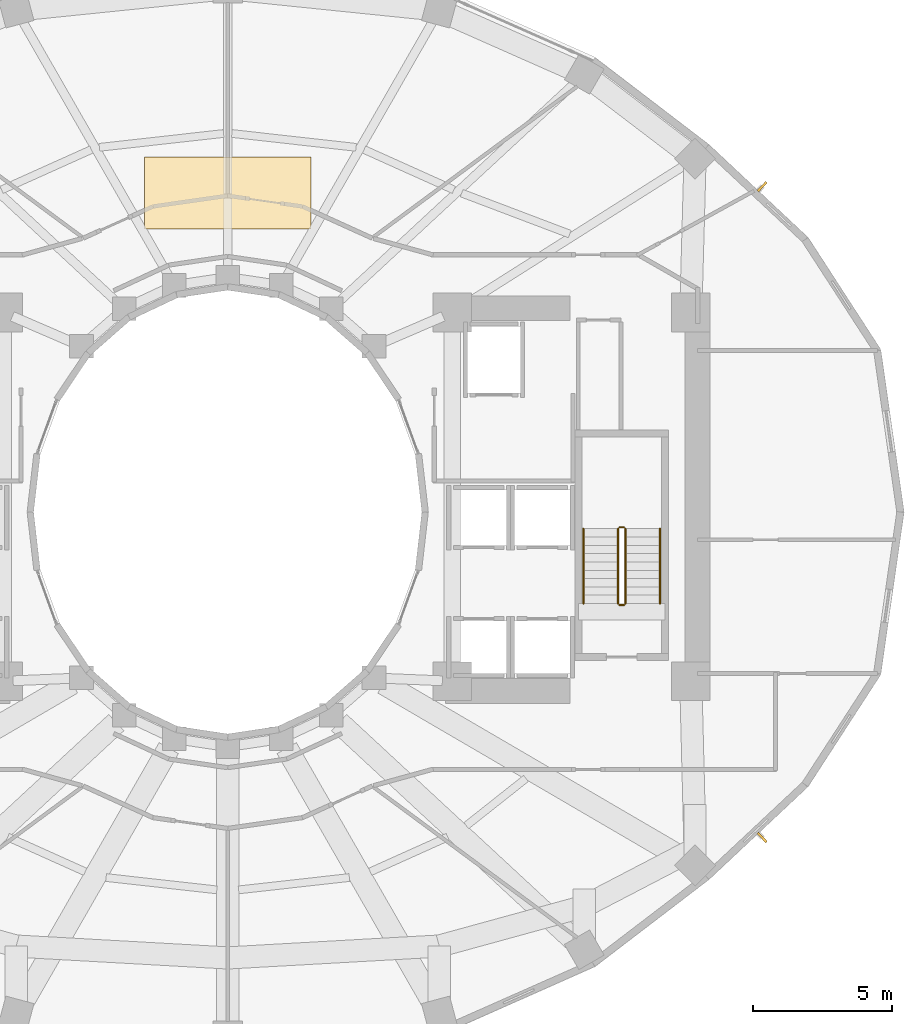
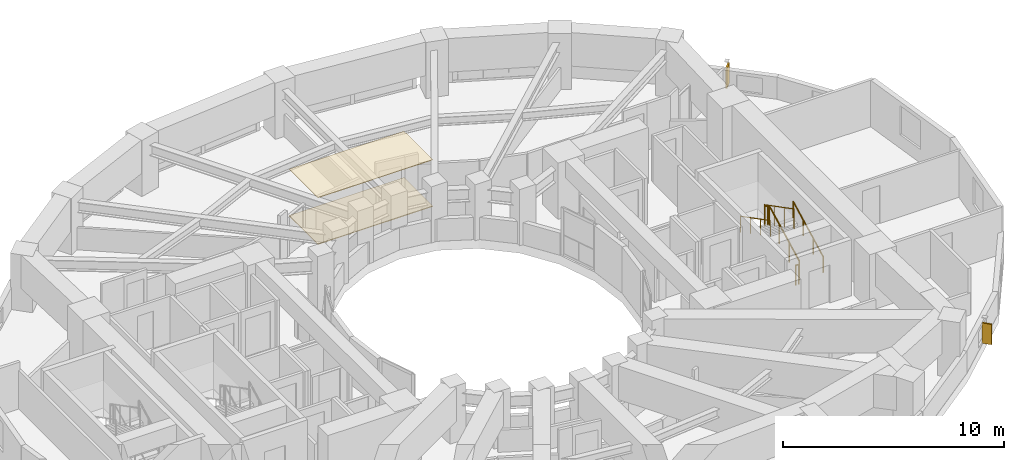
# One storey, part 18 of 19: 6 railings, 2 coverings, 2 shading devices.
"""IFC4 building model written with IfcOpenShell, lengths in metres."""

from ifc_helpers import new_model, si_unit, direction, frame, origin, origin_2d, place, context, subcontext, project, spatial, polyline, rectangle, circle, outline, extrude, material, layer, layer_set, type_object, element, save


model = new_model("IFC4")

# Units and contexts
model_context = context("Model", 3, precision=1e-05, world=origin(), true_north=direction((0.0, 1.0)))
body_context = subcontext(model_context, "Body", "Model", "MODEL_VIEW")
ifc_project = project(units=[si_unit("LENGTHUNIT", "METRE"), si_unit("AREAUNIT", "SQUARE_METRE"), si_unit("VOLUMEUNIT", "CUBIC_METRE"), si_unit("PLANEANGLEUNIT", "RADIAN"), si_unit("MASSUNIT", "GRAM", prefix="KILO")], contexts=[model_context])

# Site, building, storey
site_placement = place(None, origin())
site = spatial("IfcSite", under=ifc_project, at=site_placement, CompositionType="ELEMENT")
building_placement = place(site_placement, origin())
building = spatial("IfcBuilding", under=site, at=building_placement, Name="Solvane Sanctuary Tower", CompositionType="ELEMENT")
storey_placement = place(building_placement, frame((0.0, 0.0, 73.199951171875)))
storey = spatial("IfcBuildingStorey", under=building, at=storey_placement, Name="L21", CompositionType="ELEMENT", Elevation=73.199951171875)

# Coverings
ifc_material_1 = material(Name="Acoustic Gypsum Partition Board")
ifc_layer_1 = layer(ifc_material_1, 0.02490234375, Name="Acoustic Gypsum Partition Board")
ifc_layer_set_1 = layer_set([ifc_layer_1], Name="Acoustic Gypsum Partition Board")
covering_type_1 = type_object("IfcCoveringType", Name="Covering CLG-ACOUST", PredefinedType="CEILING", material=ifc_layer_set_1)
covering_1_placement = place(storey_placement, frame((0.0, 0.0, 2.570068359375)))
element("IfcCovering", 1, at=covering_1_placement, inside=storey, type_object=covering_type_1, Name="L21 Sky Sanctuary Acoustic Ceiling", PredefinedType="CEILING", context=body_context, shape_type="SweptSolid", body=[
    extrude(outline(polyline([(29.0, 33.199951171875), (35.0, 33.199951171875), (35.0, 35.800048828125), (29.0, 35.800048828125), (29.0, 33.199951171875)])), origin(), (0.0, 0.0, 1.0), 0.030029296875),
])
ifc_material_2 = material(Name="Ceramic Tile Finish")
ifc_layer_2 = layer(ifc_material_2, 0.030029296875, Name="Ceramic Tile Finish")
ifc_layer_set_2 = layer_set([ifc_layer_2], Name="Ceramic Tile Finish")
covering_type_2 = type_object("IfcCoveringType", Name="Covering FLR-TERRAZZO", PredefinedType="FLOORING", material=ifc_layer_set_2)
covering_2_placement = place(storey_placement, origin())
element("IfcCovering", 2, at=covering_2_placement, inside=storey, type_object=covering_type_2, Name="L21 Sky Sanctuary Terrazzo Floor", PredefinedType="FLOORING", context=body_context, shape_type="SweptSolid", body=[
    extrude(outline(polyline([(29.0, 33.199951171875), (35.0, 33.199951171875), (35.0, 35.800048828125), (29.0, 35.800048828125), (29.0, 33.199951171875)])), origin(), (0.0, 0.0, 1.0), 0.0400390625),
])

# Railings
ifc_material_3 = material(Name="Architectural Stainless Steel 316", Category="steel")
railing_type_1 = type_object("IfcRailingType", Name="Railing GR-BALC-1150", PredefinedType="BALUSTRADE", material=ifc_material_3)
railing_1_placement = place(storey_placement, frame((46.340087890625, 19.699951171875, 0.155029296875)))
element("IfcRailing", 3, at=railing_1_placement, inside=storey, type_object=railing_type_1, Name="L21 ST-2 stair guard 1", PredefinedType="BALUSTRADE", context=body_context, shape_type="SweptSolid", body=[
    extrude(circle(Radius=0.02392578125, at=origin_2d()), frame((0.0, 0.0, 1.076171875), z_axis=(0.0, 0.888419900624, 0.459031676658), x_axis=(-1.0, 0.0, 0.0)), (0.0, 0.0, 1.0), 3.0390625),
    extrude(circle(Radius=0.02099609375, at=origin_2d()), origin(), (0.0, 0.0, 1.0), 1.052001953125),
    extrude(circle(Radius=0.02099609375, at=origin_2d()), frame((0.0, 0.89990234375, 0.465087890625)), (0.0, 0.0, 1.0), 1.052001953125),
    extrude(circle(Radius=0.02099609375, at=origin_2d()), frame((0.0, 1.800048828125, 0.929931640625)), (0.0, 0.0, 1.0), 1.052001953125),
    extrude(circle(Radius=0.02099609375, at=origin_2d()), frame((0.0, 2.699951171875, 1.39501953125)), (0.0, 0.0, 1.0), 1.052001953125),
])
railing_2_placement = place(storey_placement, frame((46.2900390625, 22.449951171875, 1.550048828125)))
element("IfcRailing", 4, at=railing_2_placement, inside=storey, type_object=railing_type_1, Name="L21 ST-2 stair guard 2", PredefinedType="BALUSTRADE", context=body_context, shape_type="SweptSolid", body=[
    extrude(circle(Radius=0.02392578125, at=origin_2d()), frame((0.0, 0.0, 1.076171875), z_axis=(-1.0, 0.0, 0.0), x_axis=(0.0, -1.0, 0.0)), (0.0, 0.0, 1.0), 0.16015625),
    extrude(circle(Radius=0.02099609375, at=origin_2d()), origin(), (0.0, 0.0, 1.0), 1.052001953125),
    extrude(circle(Radius=0.02099609375, at=origin_2d()), frame((-0.16015625, 0.0, 0.0)), (0.0, 0.0, 1.0), 1.052001953125),
])
railing_3_placement = place(storey_placement, frame((46.080078125, 22.39990234375, 1.705078125)))
element("IfcRailing", 5, at=railing_3_placement, inside=storey, type_object=railing_type_1, Name="L21 ST-2 stair guard 3", PredefinedType="BALUSTRADE", context=body_context, shape_type="SweptSolid", body=[
    extrude(circle(Radius=0.02392578125, at=origin_2d()), frame((0.0, 0.0, 1.076171875), z_axis=(0.0, -0.888419900624, 0.459031676658), x_axis=(1.0, 0.0, 0.0)), (0.0, 0.0, 1.0), 3.0390625),
    extrude(circle(Radius=0.02099609375, at=origin_2d()), origin(), (0.0, 0.0, 1.0), 1.052001953125),
    extrude(circle(Radius=0.02099609375, at=origin_2d()), frame((0.0, -0.89990234375, 0.465087890625)), (0.0, 0.0, 1.0), 1.052001953125),
    extrude(circle(Radius=0.02099609375, at=origin_2d()), frame((0.0, -1.800048828125, 0.929931640625)), (0.0, 0.0, 1.0), 1.052001953125),
    extrude(circle(Radius=0.02099609375, at=origin_2d()), frame((0.0, -2.699951171875, 1.39501953125)), (0.0, 0.0, 1.0), 1.052001953125),
])
railing_4_placement = place(storey_placement, frame((46.2900390625, 19.64990234375, 0.0)))
element("IfcRailing", 6, at=railing_4_placement, inside=storey, type_object=railing_type_1, Name="L21 ST-2 stair guard 4", PredefinedType="BALUSTRADE", context=body_context, shape_type="SweptSolid", body=[
    extrude(circle(Radius=0.02392578125, at=origin_2d()), frame((0.0, 0.0, 1.076171875), z_axis=(-1.0, 0.0, 0.0), x_axis=(0.0, -1.0, 0.0)), (0.0, 0.0, 1.0), 0.16015625),
    extrude(circle(Radius=0.02099609375, at=origin_2d()), origin(), (0.0, 0.0, 1.0), 1.052001953125),
    extrude(circle(Radius=0.02099609375, at=origin_2d()), frame((-0.16015625, 0.0, 0.0)), (0.0, 0.0, 1.0), 1.052001953125),
])
railing_type_2 = type_object("IfcRailingType", Name="Railing HR-STAIR-920", PredefinedType="HANDRAIL", material=ifc_material_3)
railing_5_placement = place(storey_placement, frame((47.590087890625, 19.699951171875, 0.155029296875)))
element("IfcRailing", 7, at=railing_5_placement, inside=storey, type_object=railing_type_2, Name="L21 ST-2 stair handrail 1", PredefinedType="HANDRAIL", context=body_context, shape_type="SweptSolid", body=[
    extrude(circle(Radius=0.02392578125, at=origin_2d()), frame((0.0, 0.0, 0.8759765625), z_axis=(0.0, 0.888419900624, 0.459031676658), x_axis=(-1.0, 0.0, 0.0)), (0.0, 0.0, 1.0), 3.0390625),
    extrude(circle(Radius=0.02099609375, at=origin_2d()), origin(), (0.0, 0.0, 1.0), 0.851806640625),
    extrude(circle(Radius=0.02099609375, at=origin_2d()), frame((0.0, 0.89990234375, 0.465087890625)), (0.0, 0.0, 1.0), 0.851806640625),
    extrude(circle(Radius=0.02099609375, at=origin_2d()), frame((0.0, 1.800048828125, 0.929931640625)), (0.0, 0.0, 1.0), 0.851806640625),
    extrude(circle(Radius=0.02099609375, at=origin_2d()), frame((0.0, 2.699951171875, 1.39501953125)), (0.0, 0.0, 1.0), 0.851806640625),
])
railing_6_placement = place(storey_placement, frame((44.830078125, 22.39990234375, 1.705078125)))
element("IfcRailing", 8, at=railing_6_placement, inside=storey, type_object=railing_type_2, Name="L21 ST-2 stair handrail 2", PredefinedType="HANDRAIL", context=body_context, shape_type="SweptSolid", body=[
    extrude(circle(Radius=0.02392578125, at=origin_2d()), frame((0.0, 0.0, 0.8759765625), z_axis=(0.0, -0.888419900624, 0.459031676658), x_axis=(1.0, 0.0, 0.0)), (0.0, 0.0, 1.0), 3.0390625),
    extrude(circle(Radius=0.02099609375, at=origin_2d()), origin(), (0.0, 0.0, 1.0), 0.851806640625),
    extrude(circle(Radius=0.02099609375, at=origin_2d()), frame((0.0, -0.89990234375, 0.465087890625)), (0.0, 0.0, 1.0), 0.851806640625),
    extrude(circle(Radius=0.02099609375, at=origin_2d()), frame((0.0, -1.800048828125, 0.929931640625)), (0.0, 0.0, 1.0), 0.851806640625),
    extrude(circle(Radius=0.02099609375, at=origin_2d()), frame((0.0, -2.699951171875, 1.39501953125)), (0.0, 0.0, 1.0), 0.851806640625),
])

# Shading devices
ifc_material_4 = material(Name="Anodised Aluminium 6063-T6", Category="aluminium")
ifc_layer_3 = layer(ifc_material_4, 0.080078125, Name="Anodised Aluminium 6063-T6")
ifc_layer_set_3 = layer_set([ifc_layer_3], Name="Anodised Aluminium 6063-T6")
shading_device_type = type_object("IfcShadingDeviceType", Name="Shading SHD-FIN", PredefinedType="USERDEFINED", material=ifc_layer_set_3)
for number, where, z_axis, x_axis, name in (
    (9, (51.275390625, 34.73828125, 0.050048828125), (0.0, 0.0, 1.0), (-0.730175394401, 0.683259755445, 0.0), "L21 Aerodynamic Vertical Fin 02"),
    (10, (51.275390625, 11.26171875, 0.050048828125), (0.0, 0.0, 1.0), (0.730175394401, 0.683259755445, 0.0), "L21 Aerodynamic Vertical Fin 21"),
):
    element("IfcShadingDevice", number, at=place(storey_placement, frame(where, z_axis=z_axis, x_axis=x_axis)), inside=storey, type_object=shading_device_type, Name=name, ObjectType="FIN", PredefinedType="USERDEFINED", context=body_context, shape_type="SweptSolid", body=[
        extrude(rectangle(XDim=0.080078125, YDim=0.449951171875, at=origin_2d()), origin(), (0.0, 0.0, 1.0), 1.1201171875),
    ])

save(model, "model.ifc")
